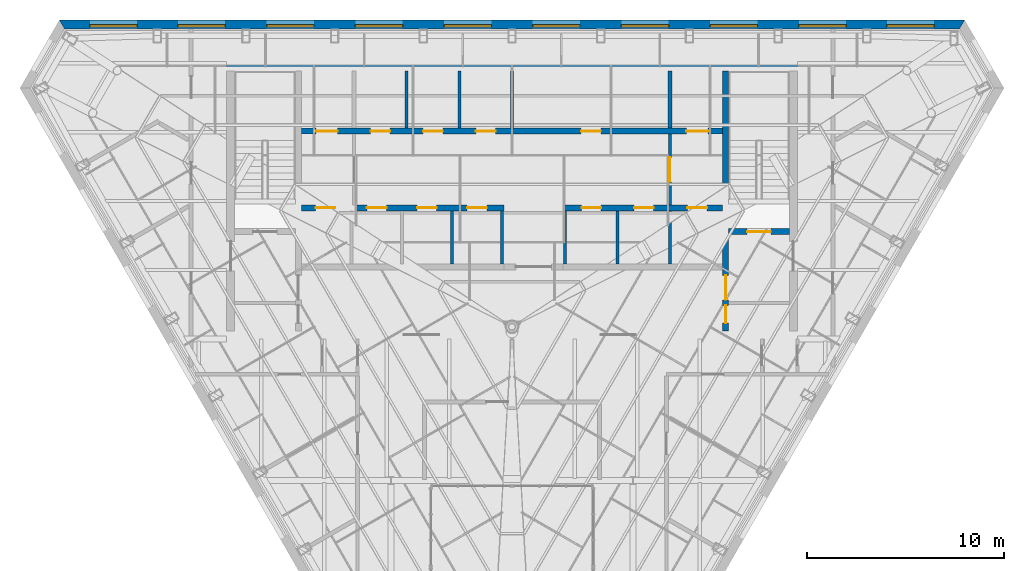
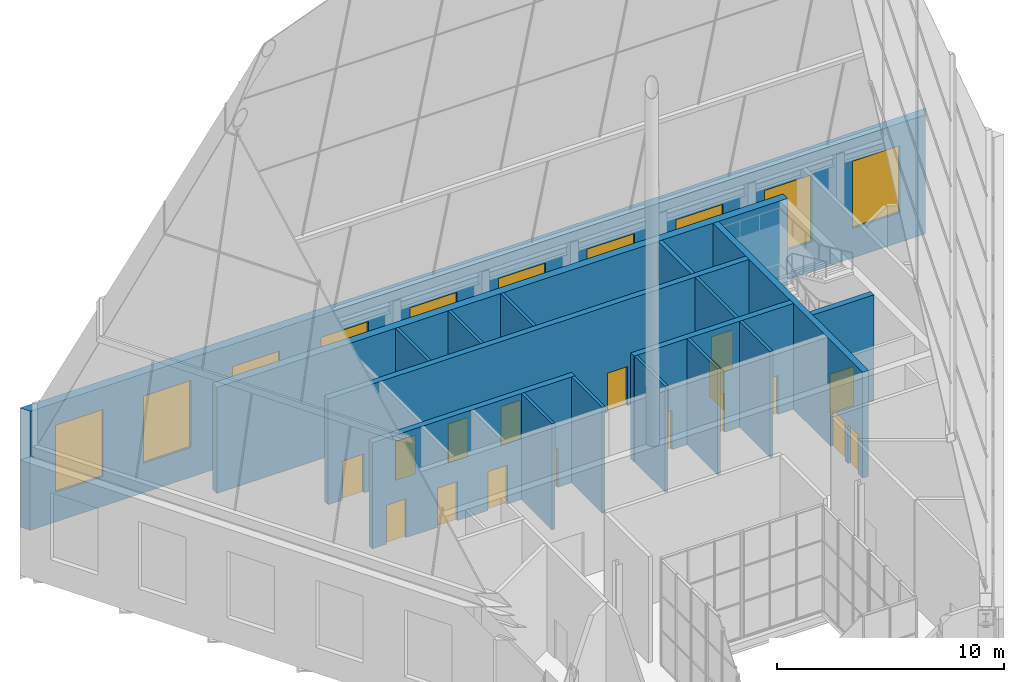
# One storey, part 32 of 36: 17 doors, 17 walls, 10 shading devices, 27 openings.
"""IFC4 building model written with IfcOpenShell, lengths in metres."""

import ifcopenshell
import ifcopenshell.guid

model = None  # the IFC model being written
_history = None  # IfcOwnerHistory: only IFC2X3 demands one
_inside = {}  # id of a spatial element -> (the spatial element, [elements in it])
_under = {}  # id of a project, library or spatial element -> (it, [spatial elements below it])
_declared = {}  # id of a project -> (the project, [libraries it declares])
_typed = {}  # id of a type object -> (the type object, [elements of that type])
_made_of = {}  # id of a material, layer set ... -> (it, [elements and type objects made of it])


def new_model(schema):
    """Start an empty IFC model of exactly this schema.

    Asked for "IFC4X3", IfcOpenShell would pick the latest addendum, in which some entities
    have other attributes; the version numbers below select the first issue.
    IFC2X3 requires an IfcOwnerHistory on every rooted entity: one is made here for all.
    """
    global model, _history
    if schema == "IFC4X3":
        model = ifcopenshell.file(schema_version=(4, 3, 0, 0))
    else:
        model = ifcopenshell.file(schema=schema)
    _inside.clear()
    _under.clear()
    _declared.clear()
    _typed.clear()
    _made_of.clear()
    _history = None
    if model.schema == "IFC2X3":
        org = make("IfcOrganization", Name="unknown")
        user = make(
            "IfcPersonAndOrganization",
            ThePerson=make("IfcPerson", FamilyName="unknown"),
            TheOrganization=org,
        )
        app = make(
            "IfcApplication",
            ApplicationDeveloper=org,
            Version="unknown",
            ApplicationFullName="unknown",
            ApplicationIdentifier="unknown",
        )
        _history = make(
            "IfcOwnerHistory",
            OwningUser=user,
            OwningApplication=app,
            ChangeAction="ADDED",
            CreationDate=0,
        )
    return model


def make(cls, **values):
    """One entity of the class cls with the attributes given. An attribute that is None is left unset."""
    return model.create_entity(
        cls, **{name: value for name, value in values.items() if value is not None}
    )


def rooted(cls, **values):
    """An entity with a GlobalId (a new one), such as an element, a storey or a relation."""
    return make(cls, GlobalId=ifcopenshell.guid.new(), OwnerHistory=_history, **values)


def si_unit(unit_type, name, prefix=None):
    """IfcSIUnit, for example si_unit("LENGTHUNIT", "METRE", prefix="MILLI")."""
    return make("IfcSIUnit", UnitType=unit_type, Prefix=prefix, Name=name)


def assignment(units):
    """IfcUnitAssignment: the units of a project."""
    return None if units is None else make("IfcUnitAssignment", Units=units)


def point(xyz):
    """IfcCartesianPoint."""
    return None if xyz is None else make("IfcCartesianPoint", Coordinates=xyz)


def direction(xyz):
    """IfcDirection."""
    return None if xyz is None else make("IfcDirection", DirectionRatios=xyz)


def frame(location, z_axis=None, x_axis=None):
    """IfcAxis2Placement3D, a coordinate frame: its origin and axes. An axis left out is left unset."""
    return make(
        "IfcAxis2Placement3D",
        Location=point(location),
        Axis=direction(z_axis),
        RefDirection=direction(x_axis),
    )


def frame_2d(location, x_axis=None):
    """IfcAxis2Placement2D, a coordinate frame in the plane: its origin and x axis."""
    return make(
        "IfcAxis2Placement2D", Location=point(location), RefDirection=direction(x_axis)
    )


def origin():
    """The frame at (0, 0, 0) with its axes left unset."""
    return frame((0.0, 0.0, 0.0))


def place(relative_to, where):
    """IfcLocalPlacement: puts the frame where relative to a parent placement (None: the world)."""
    return make(
        "IfcLocalPlacement", PlacementRelTo=relative_to, RelativePlacement=where
    )


def context(
    kind, dimensions, precision=None, world=None, true_north=None, identifier=None
):
    """IfcGeometricRepresentationContext, for example the 3D "Model" context."""
    return make(
        "IfcGeometricRepresentationContext",
        ContextIdentifier=identifier,
        ContextType=kind,
        CoordinateSpaceDimension=dimensions,
        Precision=precision,
        WorldCoordinateSystem=world,
        TrueNorth=true_north,
    )


def subcontext(parent, identifier, kind, view, scale=None):
    """IfcGeometricRepresentationSubContext, for example "Body" below "Model"."""
    return make(
        "IfcGeometricRepresentationSubContext",
        ContextIdentifier=identifier,
        ContextType=kind,
        ParentContext=parent,
        TargetScale=scale,
        TargetView=view,
    )


def project(units=None, contexts=None):
    """IfcProject with its units and contexts."""
    return rooted(
        "IfcProject",
        Name="project",
        RepresentationContexts=contexts,
        UnitsInContext=assignment(units),
    )


def spatial(cls, under=None, at=None, **own):
    """A site, building, storey or space (cls), placed at a placement, below another one or the project."""
    s = rooted(cls, ObjectPlacement=at, **own)
    if under is not None:
        _under.setdefault(under.id(), (under, []))[1].append(s)
    return s


def polyline(points):
    """IfcPolyline through the points."""
    return make("IfcPolyline", Points=[point(p) for p in points])


def profile(cls, at=None, kind="AREA", **sizes):
    """A parametric profile (cls). Its sizes go by their IFC names, for example OverallWidth=200.0."""
    return make(cls, ProfileType=kind, Position=at, **sizes)


def rectangle(**sizes):
    """IfcRectangleProfileDef."""
    return profile("IfcRectangleProfileDef", **sizes)


def outline(outer, holes=None, kind="AREA"):
    """IfcArbitraryClosedProfileDef: a profile drawn as a closed curve; with holes, ...WithVoids."""
    if holes is None:
        return make("IfcArbitraryClosedProfileDef", ProfileType=kind, OuterCurve=outer)
    return make(
        "IfcArbitraryProfileDefWithVoids",
        ProfileType=kind,
        OuterCurve=outer,
        InnerCurves=holes,
    )


def extrude(swept, where, along, depth):
    """IfcExtrudedAreaSolid: the profile swept, set in the frame where, extruded along a direction by depth."""
    return make(
        "IfcExtrudedAreaSolid",
        SweptArea=swept,
        Position=where,
        ExtrudedDirection=direction(along),
        Depth=depth,
    )


def shape(context_of_items, identifier, shape_type, items):
    """IfcShapeRepresentation: the items that make up one representation, for example the "Body"."""
    return make(
        "IfcShapeRepresentation",
        ContextOfItems=context_of_items,
        RepresentationIdentifier=identifier,
        RepresentationType=shape_type,
        Items=items,
    )


def material(Name=None, Category=None):
    """IfcMaterial."""
    return make("IfcMaterial", Name=Name, Category=Category)


def layer(
    of_material, thickness, ventilated=None, Name=None, Category=None, Priority=None
):
    """IfcMaterialLayer: one layer of a wall or slab, of a material (None: an air gap)."""
    return make(
        "IfcMaterialLayer",
        Material=of_material,
        LayerThickness=thickness,
        IsVentilated=ventilated,
        Name=Name,
        Category=Category,
        Priority=Priority,
    )


def layer_set(layers, Name=None):
    """IfcMaterialLayerSet."""
    return make("IfcMaterialLayerSet", MaterialLayers=layers, LayerSetName=Name)


def made_of(thing, what):
    """Note that an element or type object is made of a material, layer set ...; save() writes the relation."""
    if what is not None:
        _made_of.setdefault(what.id(), (what, []))[1].append(thing)
    return thing


def type_object(cls, material=None, **own):
    """A type object (cls), such as IfcWallType, which elements share."""
    return made_of(rooted(cls, **own), material)


def element(
    cls,
    number,
    at=None,
    inside=None,
    cuts=None,
    type_object=None,
    material=None,
    context=None,
    identifier="Body",
    shape_type=None,
    held_by="IfcProductDefinitionShape",
    body=None,
    shapes=None,
    **own,
):
    """One element of the class cls, such as IfcWall. Its Tag is "e" and its number.

    at: its placement. inside: the storey or other place that contains it. cuts: it is an
    opening in that element (IfcRelVoidsElement). A single representation is given by context,
    identifier, shape_type and body (its items); several are given by shapes. held_by: the class
    of the entity that holds the representations. save() writes the other relations.
    """
    e = rooted(cls, Tag="e%d" % number, ObjectPlacement=at, **own)
    if body is not None:
        shapes = [shape(context, identifier, shape_type, body)]
    if shapes is not None:
        e.Representation = make(held_by, Representations=shapes)
    if inside is not None:
        _inside.setdefault(inside.id(), (inside, []))[1].append(e)
    if cuts is not None:
        rooted(
            "IfcRelVoidsElement", RelatingBuildingElement=cuts, RelatedOpeningElement=e
        )
    if type_object is not None:
        _typed.setdefault(type_object.id(), (type_object, []))[1].append(e)
    return made_of(e, material)


def fill(opening, filler):
    """IfcRelFillsElement: the door or window that sits in an opening."""
    return rooted(
        "IfcRelFillsElement",
        RelatingOpeningElement=opening,
        RelatedBuildingElement=filler,
    )


def aggregate(whole, parts):
    """IfcRelAggregates: a whole, such as a stair, and the parts it consists of."""
    return rooted("IfcRelAggregates", RelatingObject=whole, RelatedObjects=parts)


def save(model, path):
    """Write the relations noted so far, then the file.

    IfcRelAggregates (storeys below a building ...), IfcRelContainedInSpatialStructure (elements
    in a storey), IfcRelDefinesByType, IfcRelAssociatesMaterial and IfcRelDeclares: one each for
    every whole, place, type object, material and project.
    """
    for whole, parts in _under.values():
        aggregate(whole, parts)
    for where, things in _inside.values():
        rooted(
            "IfcRelContainedInSpatialStructure",
            RelatedElements=things,
            RelatingStructure=where,
        )
    for kind, things in _typed.values():
        rooted("IfcRelDefinesByType", RelatedObjects=things, RelatingType=kind)
    for what, things in _made_of.values():
        rooted("IfcRelAssociatesMaterial", RelatedObjects=things, RelatingMaterial=what)
    for by, libraries in _declared.values():
        rooted("IfcRelDeclares", RelatingContext=by, RelatedDefinitions=libraries)
    model.write(path)


model = new_model("IFC4")

# Units and contexts
model_context = context("Model", 3, precision=1e-05, world=origin(), true_north=direction((0.0, 1.0)))
body_context = subcontext(model_context, "Body", "Model", "MODEL_VIEW")
ifc_project = project(units=[si_unit("LENGTHUNIT", "METRE"), si_unit("AREAUNIT", "SQUARE_METRE"), si_unit("VOLUMEUNIT", "CUBIC_METRE"), si_unit("PLANEANGLEUNIT", "RADIAN"), si_unit("MASSUNIT", "GRAM", prefix="KILO")], contexts=[model_context])

# Site, building, storey
site_placement = place(None, origin())
site = spatial("IfcSite", under=ifc_project, at=site_placement, CompositionType="ELEMENT")
building_placement = place(site_placement, origin())
building = spatial("IfcBuilding", under=site, at=building_placement, Name="Njiva Tower", CompositionType="ELEMENT")
storey_placement = place(building_placement, frame((0.0, 0.0, 337.8)))
storey = spatial("IfcBuildingStorey", under=building, at=storey_placement, Name="L77", CompositionType="ELEMENT", Elevation=337.8)

# Walls
ifc_material_1 = material(Name="Blockwork", Category="masonry")
ifc_layer_1 = layer(ifc_material_1, 0.15)
ifc_layer_set_1 = layer_set([ifc_layer_1], Name="Blockwork")
wall_type_1 = type_object("IfcWallType", Name="WT1 Compartment partition 150", PredefinedType="PARTITIONING", material=ifc_layer_set_1)
for number, where, z_axis, x_axis, name in (
    (1, (-5.35, 14.7, 0.0), (0.0, 0.0, 1.0), (0.0, 1.0, 0.0), "Partition CN2"),
    (2, (-2.675, 14.7, 0.0), (0.0, 0.0, 1.0), (0.0, 1.0, 0.0), "Partition CN3"),
    (3, (0.0, 14.7, 0.0), (0.0, 0.0, 1.0), (0.0, 1.0, 0.0), "Partition CN4"),
):
    element("IfcWall", number, at=place(storey_placement, frame(where, z_axis=z_axis, x_axis=x_axis)), inside=storey, type_object=wall_type_1, Name=name, PredefinedType="PARTITIONING", context=body_context, shape_type="SweptSolid", body=[
        extrude(rectangle(XDim=2.9, YDim=0.15, at=frame_2d((1.45, 0.0))), origin(), (0.0, 0.0, 1.0), 5.7),
    ])
for number, where, z_axis, x_axis, name in (
    (4, (-3.05, 7.8, 0.0), (0.0, 0.0, 1.0), (0.0, 1.0, 0.0), "Partition CS3"),
    (5, (-0.5, 7.8, 0.0), (0.0, 0.0, 1.0), (0.0, 1.0, 0.0), "Partition CS4"),
    (6, (2.7, 7.8, 0.0), (0.0, 0.0, 1.0), (0.0, 1.0, 0.0), "Partition CS5"),
    (7, (5.3667, 7.8, 0.0), (0.0, 0.0, 1.0), (0.0, 1.0, 0.0), "Partition CS6"),
    (8, (8.0333, 7.8, 0.0), (0.0, 0.0, 1.0), (0.0, 1.0, 0.0), "Partition CS7"),
):
    element("IfcWall", number, at=place(storey_placement, frame(where, z_axis=z_axis, x_axis=x_axis)), inside=storey, type_object=wall_type_1, Name=name, PredefinedType="PARTITIONING", context=body_context, shape_type="SweptSolid", body=[
        extrude(rectangle(XDim=2.7, YDim=0.15, at=frame_2d((1.35, 0.0))), origin(), (0.0, 0.0, 1.0), 5.7),
    ])

# Wall, openings, doors
ifc_material_2 = material(Name="Concrete C40/50", Category="concrete")
ifc_layer_2 = layer(ifc_material_2, 0.3)
ifc_layer_set_2 = layer_set([ifc_layer_2], Name="Concrete C40/50")
wall_type_2 = type_object("IfcWallType", Name="WT10 Stair enclosure wall 300", PredefinedType="SHEAR", material=ifc_layer_set_2)
wall_1_placement = place(storey_placement, frame((10.85, 4.4, 0.0), z_axis=(0.0, 0.0, 1.0), x_axis=(0.0, 1.0, 0.0)))
wall_1 = element("IfcWall", 9, at=wall_1_placement, inside=storey, type_object=wall_type_2, Name="Stair wall east inner", PredefinedType="SHEAR", context=body_context, shape_type="SweptSolid", body=[
    extrude(rectangle(XDim=13.2, YDim=0.3, at=frame_2d((6.6, 0.0))), origin(), (0.0, 0.0, 1.0), 5.7),
])
opening_1_placement = place(wall_1_placement, frame((1.575, 0.0, 0.0)))
opening_1 = element("IfcOpeningElement", 10, at=opening_1_placement, cuts=wall_1, Name="Opening CR-D921", PredefinedType="OPENING", context=body_context, shape_type="SweptSolid", body=[
    extrude(rectangle(XDim=1.25, YDim=2.1, at=frame_2d((0.625, 1.05))), frame((0.0, 0.16, 0.0), z_axis=(0.0, -1.0, 0.0), x_axis=(1.0, 0.0, 0.0)), (0.0, 0.0, 1.0), 0.32),
])
opening_2_placement = place(wall_1_placement, frame((0.4, 0.0, 0.0)))
opening_2 = element("IfcOpeningElement", 11, at=opening_2_placement, cuts=wall_1, Name="Opening CR-D923", PredefinedType="OPENING", context=body_context, shape_type="SweptSolid", body=[
    extrude(rectangle(XDim=0.9, YDim=2.1, at=frame_2d((0.45, 1.05))), frame((0.0, 0.16, 0.0), z_axis=(0.0, -1.0, 0.0), x_axis=(1.0, 0.0, 0.0)), (0.0, 0.0, 1.0), 0.32),
])
ifc_material_3 = material(Name="Steel door, painted", Category="steel")
door_type_1 = type_object("IfcDoorType", Name="D13 Steel door 900x2100", OperationType="SINGLE_SWING_LEFT", PredefinedType="DOOR", material=ifc_material_3)
door_1_placement = place(opening_2_placement, origin())
door_1 = element("IfcDoor", 12, at=door_1_placement, inside=storey, type_object=door_type_1, Name="Telecoms plant room door", OperationType="SINGLE_SWING_LEFT", OverallHeight=2.1, OverallWidth=0.9, PredefinedType="DOOR", context=body_context, shape_type="SweptSolid", body=[
    extrude(rectangle(XDim=0.9, YDim=2.1, at=frame_2d((0.45, 1.05))), frame((0.0, 0.025, 0.0), z_axis=(0.0, -1.0, 0.0), x_axis=(1.0, 0.0, 0.0)), (0.0, 0.0, 1.0), 0.05),
])
fill(opening_2, door_1)
ifc_material_4 = material(Name="Glazed steel fire door", Category="steel")
door_type_2 = type_object("IfcDoorType", Name="D8 Vestibule corridor door 1250x2100 glazed", OperationType="SINGLE_SWING_LEFT", PredefinedType="DOOR", material=ifc_material_4)
door_2_placement = place(opening_1_placement, origin())
door_2 = element("IfcDoor", 13, at=door_2_placement, inside=storey, type_object=door_type_2, Name="Stair vestibule corridor door", OperationType="SINGLE_SWING_RIGHT", OverallHeight=2.1, OverallWidth=1.25, PredefinedType="DOOR", context=body_context, shape_type="SweptSolid", body=[
    extrude(rectangle(XDim=1.25, YDim=2.1, at=frame_2d((0.625, 1.05))), frame((0.0, 0.025, 0.0), z_axis=(0.0, -1.0, 0.0), x_axis=(1.0, 0.0, 0.0)), (0.0, 0.0, 1.0), 0.05),
])
fill(opening_1, door_2)

# Wall, opening, door
wall_2_placement = place(storey_placement, frame((11.0, 9.45, 0.0), z_axis=(0.0, 0.0, 1.0), x_axis=(1.0, 0.0, 0.0)))
wall_2 = element("IfcWall", 14, at=wall_2_placement, inside=storey, type_object=wall_type_2, Name="Stair B south wall", PredefinedType="SHEAR", context=body_context, shape_type="SweptSolid", body=[
    extrude(rectangle(XDim=3.1, YDim=0.3, at=frame_2d((1.55, 0.0))), origin(), (0.0, 0.0, 1.0), 5.7),
])
opening_3_placement = place(wall_2_placement, frame((0.95, 0.0, 0.0)))
opening_3 = element("IfcOpeningElement", 15, at=opening_3_placement, cuts=wall_2, Name="Opening CR-D920", PredefinedType="OPENING", context=body_context, shape_type="SweptSolid", body=[
    extrude(rectangle(XDim=1.2, YDim=2.1, at=frame_2d((0.6, 1.05))), frame((0.0, 0.16, 0.0), z_axis=(0.0, -1.0, 0.0), x_axis=(1.0, 0.0, 0.0)), (0.0, 0.0, 1.0), 0.32),
])
door_type_3 = type_object("IfcDoorType", Name="D7 Stair vestibule door 1200x2100 glazed", OperationType="SINGLE_SWING_LEFT", PredefinedType="DOOR", material=ifc_material_4)
door_3_placement = place(opening_3_placement, origin())
door_3 = element("IfcDoor", 16, at=door_3_placement, inside=storey, type_object=door_type_3, Name="Stair B door", OperationType="SINGLE_SWING_LEFT", OverallHeight=2.1, OverallWidth=1.2, PredefinedType="DOOR", context=body_context, shape_type="SweptSolid", body=[
    extrude(rectangle(XDim=1.2, YDim=2.1, at=frame_2d((0.6, 1.05))), frame((0.0, 0.025, 0.0), z_axis=(0.0, -1.0, 0.0), x_axis=(1.0, 0.0, 0.0)), (0.0, 0.0, 1.0), 0.05),
])
fill(opening_3, door_3)

# Wall
ifc_material_5 = material(Name="Concrete C60/75", Category="concrete")
ifc_layer_3 = layer(ifc_material_5, 0.4)
ifc_layer_set_3 = layer_set([ifc_layer_3], Name="Concrete C60/75")
wall_type_3 = type_object("IfcWallType", Name="WT11 Core wall 400", PredefinedType="SHEAR", material=ifc_layer_set_3)
wall_3_placement = place(storey_placement, frame((-14.5, 17.8, 0.0), z_axis=(0.0, 0.0, 1.0), x_axis=(1.0, 0.0, 0.0)))
element("IfcWall", 17, at=wall_3_placement, inside=storey, type_object=wall_type_3, Name="Core wall north", PredefinedType="SHEAR", context=body_context, shape_type="SweptSolid", body=[
    extrude(rectangle(XDim=29.0, YDim=0.4, at=frame_2d((14.5, 0.0))), origin(), (0.0, 0.0, 1.0), 5.7),
])

# Wall, opening, door
ifc_layer_4 = layer(ifc_material_1, 0.15)
ifc_layer_set_4 = layer_set([ifc_layer_4], Name="Blockwork")
wall_type_4 = type_object("IfcWallType", Name="WT2 Lobby partition 150", PredefinedType="PARTITIONING", material=ifc_layer_set_4)
wall_4_placement = place(storey_placement, frame((8.025, 10.8, 0.0), z_axis=(0.0, 0.0, 1.0), x_axis=(0.0, 1.0, 0.0)))
wall_4 = element("IfcWall", 18, at=wall_4_placement, inside=storey, type_object=wall_type_4, Name="Firefighting lobby wall B", PredefinedType="PARTITIONING", context=body_context, shape_type="SweptSolid", body=[
    extrude(rectangle(XDim=3.6, YDim=0.15, at=frame_2d((1.8, 0.0))), origin(), (0.0, 0.0, 1.0), 5.7),
])
opening_4_placement = place(wall_4_placement, frame((1.175, 0.0, 0.0)))
opening_4 = element("IfcOpeningElement", 19, at=opening_4_placement, cuts=wall_4, Name="Opening CR-D919", PredefinedType="OPENING", context=body_context, shape_type="SweptSolid", body=[
    extrude(rectangle(XDim=1.25, YDim=2.1, at=frame_2d((0.625, 1.05))), frame((0.0, 0.085, 0.0), z_axis=(0.0, -1.0, 0.0), x_axis=(1.0, 0.0, 0.0)), (0.0, 0.0, 1.0), 0.17),
])
door_4_placement = place(opening_4_placement, origin())
door_4 = element("IfcDoor", 20, at=door_4_placement, inside=storey, type_object=door_type_2, Name="Stair vestibule corridor door", OperationType="SINGLE_SWING_LEFT", OverallHeight=2.1, OverallWidth=1.25, PredefinedType="DOOR", context=body_context, shape_type="SweptSolid", body=[
    extrude(rectangle(XDim=1.25, YDim=2.1, at=frame_2d((0.625, 1.05))), frame((0.0, 0.025, 0.0), z_axis=(0.0, -1.0, 0.0), x_axis=(1.0, 0.0, 0.0)), (0.0, 0.0, 1.0), 0.05),
])
fill(opening_4, door_4)

# Wall
ifc_layer_5 = layer(ifc_material_2, 0.2)
ifc_layer_set_5 = layer_set([ifc_layer_5], Name="Concrete C40/50")
wall_type_5 = type_object("IfcWallType", Name="WT6 Lift shaft wall 200", PredefinedType="SHEAR", material=ifc_layer_set_5)
wall_5_placement = place(storey_placement, frame((8.025, 14.7, 0.0), z_axis=(0.0, 0.0, 1.0), x_axis=(0.0, 1.0, 0.0)))
element("IfcWall", 21, at=wall_5_placement, inside=storey, type_object=wall_type_5, Name="Shaft wall CN7", PredefinedType="SHEAR", context=body_context, shape_type="SweptSolid", body=[
    extrude(rectangle(XDim=2.9, YDim=0.2, at=frame_2d((1.45, 0.0))), origin(), (0.0, 0.0, 1.0), 5.7),
])

# Wall, openings, doors
ifc_layer_6 = layer(ifc_material_2, 0.3)
ifc_layer_set_6 = layer_set([ifc_layer_6], Name="Concrete C40/50")
wall_type_6 = type_object("IfcWallType", Name="WT7 Lift shaft wall 300", PredefinedType="SHEAR", material=ifc_layer_set_6)
wall_6_placement = place(storey_placement, frame((-10.7, 14.55, 0.0), z_axis=(0.0, 0.0, 1.0), x_axis=(1.0, 0.0, 0.0)))
wall_6 = element("IfcWall", 22, at=wall_6_placement, inside=storey, type_object=wall_type_6, Name="Shaft wall north row lobby side", PredefinedType="SHEAR", context=body_context, shape_type="SweptSolid", body=[
    extrude(rectangle(XDim=21.4, YDim=0.3, at=frame_2d((10.7, 0.0))), origin(), (0.0, 0.0, 1.0), 5.7),
])
opening_5_placement = place(wall_6_placement, frame((0.7375, 0.0, 0.0)))
opening_5 = element("IfcOpeningElement", 23, at=opening_5_placement, cuts=wall_6, Name="Opening CR-D901", PredefinedType="OPENING", context=body_context, shape_type="SweptSolid", body=[
    extrude(rectangle(XDim=1.1, YDim=2.1, at=frame_2d((0.55, 1.05))), frame((0.0, 0.16, 0.0), z_axis=(0.0, -1.0, 0.0), x_axis=(1.0, 0.0, 0.0)), (0.0, 0.0, 1.0), 0.32),
])
opening_6_placement = place(wall_6_placement, frame((19.5625, 0.0, 0.0)))
opening_6 = element("IfcOpeningElement", 24, at=opening_6_placement, cuts=wall_6, Name="Opening CR-D902", PredefinedType="OPENING", context=body_context, shape_type="SweptSolid", body=[
    extrude(rectangle(XDim=1.1, YDim=2.1, at=frame_2d((0.55, 1.05))), frame((0.0, 0.16, 0.0), z_axis=(0.0, -1.0, 0.0), x_axis=(1.0, 0.0, 0.0)), (0.0, 0.0, 1.0), 0.32),
])
opening_7_placement = place(wall_6_placement, frame((3.5125, 0.0, 0.0)))
opening_7 = element("IfcOpeningElement", 25, at=opening_7_placement, cuts=wall_6, Name="Opening CR-D903", PredefinedType="OPENING", context=body_context, shape_type="SweptSolid", body=[
    extrude(rectangle(XDim=1.0, YDim=2.1, at=frame_2d((0.5, 1.05))), frame((0.0, 0.16, 0.0), z_axis=(0.0, -1.0, 0.0), x_axis=(1.0, 0.0, 0.0)), (0.0, 0.0, 1.0), 0.32),
])
opening_8_placement = place(wall_6_placement, frame((6.1875, 0.0, 0.0)))
opening_8 = element("IfcOpeningElement", 26, at=opening_8_placement, cuts=wall_6, Name="Opening CR-D904", PredefinedType="OPENING", context=body_context, shape_type="SweptSolid", body=[
    extrude(rectangle(XDim=1.0, YDim=2.1, at=frame_2d((0.5, 1.05))), frame((0.0, 0.16, 0.0), z_axis=(0.0, -1.0, 0.0), x_axis=(1.0, 0.0, 0.0)), (0.0, 0.0, 1.0), 0.32),
])
opening_9_placement = place(wall_6_placement, frame((8.8625, 0.0, 0.0)))
opening_9 = element("IfcOpeningElement", 27, at=opening_9_placement, cuts=wall_6, Name="Opening CR-D905", PredefinedType="OPENING", context=body_context, shape_type="SweptSolid", body=[
    extrude(rectangle(XDim=1.0, YDim=2.1, at=frame_2d((0.5, 1.05))), frame((0.0, 0.16, 0.0), z_axis=(0.0, -1.0, 0.0), x_axis=(1.0, 0.0, 0.0)), (0.0, 0.0, 1.0), 0.32),
])
opening_10_placement = place(wall_6_placement, frame((14.2125, 0.0, 0.0)))
opening_10 = element("IfcOpeningElement", 28, at=opening_10_placement, cuts=wall_6, Name="Opening CR-D906", PredefinedType="OPENING", context=body_context, shape_type="SweptSolid", body=[
    extrude(rectangle(XDim=1.0, YDim=2.1, at=frame_2d((0.5, 1.05))), frame((0.0, 0.16, 0.0), z_axis=(0.0, -1.0, 0.0), x_axis=(1.0, 0.0, 0.0)), (0.0, 0.0, 1.0), 0.32),
])
door_type_4 = type_object("IfcDoorType", Name="D5 Steel door 1000x2100", OperationType="SINGLE_SWING_LEFT", PredefinedType="DOOR", material=ifc_material_3)
door_5_placement = place(opening_7_placement, origin())
door_5 = element("IfcDoor", 29, at=door_5_placement, inside=storey, type_object=door_type_4, Name="Telecoms plant room door", OperationType="SINGLE_SWING_RIGHT", OverallHeight=2.1, OverallWidth=1.0, PredefinedType="DOOR", context=body_context, shape_type="SweptSolid", body=[
    extrude(rectangle(XDim=1.0, YDim=2.1, at=frame_2d((0.5, 1.05))), frame((0.0, 0.025, 0.0), z_axis=(0.0, -1.0, 0.0), x_axis=(1.0, 0.0, 0.0)), (0.0, 0.0, 1.0), 0.05),
])
fill(opening_7, door_5)
door_6_placement = place(opening_8_placement, origin())
door_6 = element("IfcDoor", 30, at=door_6_placement, inside=storey, type_object=door_type_4, Name="Mechanical plant room door", OperationType="SINGLE_SWING_RIGHT", OverallHeight=2.1, OverallWidth=1.0, PredefinedType="DOOR", context=body_context, shape_type="SweptSolid", body=[
    extrude(rectangle(XDim=1.0, YDim=2.1, at=frame_2d((0.5, 1.05))), frame((0.0, 0.025, 0.0), z_axis=(0.0, -1.0, 0.0), x_axis=(1.0, 0.0, 0.0)), (0.0, 0.0, 1.0), 0.05),
])
fill(opening_8, door_6)
door_7_placement = place(opening_9_placement, origin())
door_7 = element("IfcDoor", 31, at=door_7_placement, inside=storey, type_object=door_type_4, Name="Pump plant room door", OperationType="SINGLE_SWING_RIGHT", OverallHeight=2.1, OverallWidth=1.0, PredefinedType="DOOR", context=body_context, shape_type="SweptSolid", body=[
    extrude(rectangle(XDim=1.0, YDim=2.1, at=frame_2d((0.5, 1.05))), frame((0.0, 0.025, 0.0), z_axis=(0.0, -1.0, 0.0), x_axis=(1.0, 0.0, 0.0)), (0.0, 0.0, 1.0), 0.05),
])
fill(opening_9, door_7)
door_8_placement = place(opening_10_placement, origin())
door_8 = element("IfcDoor", 32, at=door_8_placement, inside=storey, type_object=door_type_4, Name="Ventilation plant room door", OperationType="SINGLE_SWING_LEFT", OverallHeight=2.1, OverallWidth=1.0, PredefinedType="DOOR", context=body_context, shape_type="SweptSolid", body=[
    extrude(rectangle(XDim=1.0, YDim=2.1, at=frame_2d((0.5, 1.05))), frame((0.0, 0.025, 0.0), z_axis=(0.0, -1.0, 0.0), x_axis=(1.0, 0.0, 0.0)), (0.0, 0.0, 1.0), 0.05),
])
fill(opening_10, door_8)
ifc_material_6 = material(Name="Stainless steel sliding door", Category="steel")
door_type_5 = type_object("IfcDoorType", Name="LD Lift landing door 1100x2100", OperationType="SLIDING_TO_LEFT", PredefinedType="DOOR", material=ifc_material_6)
door_9_placement = place(opening_5_placement, origin())
door_9 = element("IfcDoor", 33, at=door_9_placement, inside=storey, type_object=door_type_5, Name="Lift landing door FF1", OperationType="SLIDING_TO_LEFT", OverallHeight=2.1, OverallWidth=1.1, PredefinedType="DOOR", context=body_context, shape_type="SweptSolid", body=[
    extrude(rectangle(XDim=1.1, YDim=2.1, at=frame_2d((0.55, 1.05))), frame((0.0, 0.025, 0.0), z_axis=(0.0, -1.0, 0.0), x_axis=(1.0, 0.0, 0.0)), (0.0, 0.0, 1.0), 0.05),
])
fill(opening_5, door_9)
door_10_placement = place(opening_6_placement, origin())
door_10 = element("IfcDoor", 34, at=door_10_placement, inside=storey, type_object=door_type_5, Name="Lift landing door FF2", OperationType="SLIDING_TO_LEFT", OverallHeight=2.1, OverallWidth=1.1, PredefinedType="DOOR", context=body_context, shape_type="SweptSolid", body=[
    extrude(rectangle(XDim=1.1, YDim=2.1, at=frame_2d((0.55, 1.05))), frame((0.0, 0.025, 0.0), z_axis=(0.0, -1.0, 0.0), x_axis=(1.0, 0.0, 0.0)), (0.0, 0.0, 1.0), 0.05),
])
fill(opening_6, door_10)

wall_7_placement = place(storey_placement, frame((-10.7, 10.65, 0.0), z_axis=(0.0, 0.0, 1.0), x_axis=(1.0, 0.0, 0.0)))
wall_7 = element("IfcWall", 35, at=wall_7_placement, inside=storey, type_object=wall_type_6, Name="Shaft wall south row lobby side W", PredefinedType="SHEAR", context=body_context, shape_type="SweptSolid", body=[
    extrude(rectangle(XDim=10.3, YDim=0.3, at=frame_2d((5.15, 0.0))), origin(), (0.0, 0.0, 1.0), 5.7),
])
opening_11_placement = place(wall_7_placement, frame((0.725, 0.0, 0.0)))
opening_11 = element("IfcOpeningElement", 36, at=opening_11_placement, cuts=wall_7, Name="Opening CR-D907", PredefinedType="OPENING", context=body_context, shape_type="SweptSolid", body=[
    extrude(rectangle(XDim=1.0, YDim=2.1, at=frame_2d((0.5, 1.05))), frame((0.0, 0.16, 0.0), z_axis=(0.0, -1.0, 0.0), x_axis=(1.0, 0.0, 0.0)), (0.0, 0.0, 1.0), 0.32),
])
opening_12_placement = place(wall_7_placement, frame((3.325, 0.0, 0.0)))
opening_12 = element("IfcOpeningElement", 37, at=opening_12_placement, cuts=wall_7, Name="Opening CR-D908", PredefinedType="OPENING", context=body_context, shape_type="SweptSolid", body=[
    extrude(rectangle(XDim=1.0, YDim=2.1, at=frame_2d((0.5, 1.05))), frame((0.0, 0.16, 0.0), z_axis=(0.0, -1.0, 0.0), x_axis=(1.0, 0.0, 0.0)), (0.0, 0.0, 1.0), 0.32),
])
opening_13_placement = place(wall_7_placement, frame((5.875, 0.0, 0.0)))
opening_13 = element("IfcOpeningElement", 38, at=opening_13_placement, cuts=wall_7, Name="Opening CR-D909", PredefinedType="OPENING", context=body_context, shape_type="SweptSolid", body=[
    extrude(rectangle(XDim=1.0, YDim=2.1, at=frame_2d((0.5, 1.05))), frame((0.0, 0.16, 0.0), z_axis=(0.0, -1.0, 0.0), x_axis=(1.0, 0.0, 0.0)), (0.0, 0.0, 1.0), 0.32),
])
opening_14_placement = place(wall_7_placement, frame((8.425, 0.0, 0.0)))
opening_14 = element("IfcOpeningElement", 39, at=opening_14_placement, cuts=wall_7, Name="Opening CR-D910", PredefinedType="OPENING", context=body_context, shape_type="SweptSolid", body=[
    extrude(rectangle(XDim=1.0, YDim=2.1, at=frame_2d((0.5, 1.05))), frame((0.0, 0.16, 0.0), z_axis=(0.0, -1.0, 0.0), x_axis=(1.0, 0.0, 0.0)), (0.0, 0.0, 1.0), 0.32),
])
door_11_placement = place(opening_11_placement, origin())
door_11 = element("IfcDoor", 40, at=door_11_placement, inside=storey, type_object=door_type_4, Name="Plant store door", OperationType="SINGLE_SWING_LEFT", OverallHeight=2.1, OverallWidth=1.0, PredefinedType="DOOR", context=body_context, shape_type="SweptSolid", body=[
    extrude(rectangle(XDim=1.0, YDim=2.1, at=frame_2d((0.5, 1.05))), frame((0.0, 0.025, 0.0), z_axis=(0.0, -1.0, 0.0), x_axis=(1.0, 0.0, 0.0)), (0.0, 0.0, 1.0), 0.05),
])
fill(opening_11, door_11)
door_12_placement = place(opening_12_placement, origin())
door_12 = element("IfcDoor", 41, at=door_12_placement, inside=storey, type_object=door_type_4, Name="Plant store room door", OperationType="SINGLE_SWING_LEFT", OverallHeight=2.1, OverallWidth=1.0, PredefinedType="DOOR", context=body_context, shape_type="SweptSolid", body=[
    extrude(rectangle(XDim=1.0, YDim=2.1, at=frame_2d((0.5, 1.05))), frame((0.0, 0.025, 0.0), z_axis=(0.0, -1.0, 0.0), x_axis=(1.0, 0.0, 0.0)), (0.0, 0.0, 1.0), 0.05),
])
fill(opening_12, door_12)
door_13_placement = place(opening_13_placement, origin())
door_13 = element("IfcDoor", 42, at=door_13_placement, inside=storey, type_object=door_type_4, Name="Electrical plant room door", OperationType="SINGLE_SWING_RIGHT", OverallHeight=2.1, OverallWidth=1.0, PredefinedType="DOOR", context=body_context, shape_type="SweptSolid", body=[
    extrude(rectangle(XDim=1.0, YDim=2.1, at=frame_2d((0.5, 1.05))), frame((0.0, 0.025, 0.0), z_axis=(0.0, -1.0, 0.0), x_axis=(1.0, 0.0, 0.0)), (0.0, 0.0, 1.0), 0.05),
])
fill(opening_13, door_13)
door_14_placement = place(opening_14_placement, origin())
door_14 = element("IfcDoor", 43, at=door_14_placement, inside=storey, type_object=door_type_4, Name="Telecoms plant room door", OperationType="SINGLE_SWING_RIGHT", OverallHeight=2.1, OverallWidth=1.0, PredefinedType="DOOR", context=body_context, shape_type="SweptSolid", body=[
    extrude(rectangle(XDim=1.0, YDim=2.1, at=frame_2d((0.5, 1.05))), frame((0.0, 0.025, 0.0), z_axis=(0.0, -1.0, 0.0), x_axis=(1.0, 0.0, 0.0)), (0.0, 0.0, 1.0), 0.05),
])
fill(opening_14, door_14)

wall_8_placement = place(storey_placement, frame((2.6, 10.65, 0.0), z_axis=(0.0, 0.0, 1.0), x_axis=(1.0, 0.0, 0.0)))
wall_8 = element("IfcWall", 44, at=wall_8_placement, inside=storey, type_object=wall_type_6, Name="Shaft wall south row lobby side E", PredefinedType="SHEAR", context=body_context, shape_type="SweptSolid", body=[
    extrude(rectangle(XDim=8.1, YDim=0.3, at=frame_2d((4.05, 0.0))), origin(), (0.0, 0.0, 1.0), 5.7),
])
opening_15_placement = place(wall_8_placement, frame((0.9334, 0.0, 0.0)))
opening_15 = element("IfcOpeningElement", 45, at=opening_15_placement, cuts=wall_8, Name="Opening CR-D911", PredefinedType="OPENING", context=body_context, shape_type="SweptSolid", body=[
    extrude(rectangle(XDim=1.0, YDim=2.1, at=frame_2d((0.5, 1.05))), frame((0.0, 0.16, 0.0), z_axis=(0.0, -1.0, 0.0), x_axis=(1.0, 0.0, 0.0)), (0.0, 0.0, 1.0), 0.32),
])
opening_16_placement = place(wall_8_placement, frame((3.6, 0.0, 0.0)))
opening_16 = element("IfcOpeningElement", 46, at=opening_16_placement, cuts=wall_8, Name="Opening CR-D912", PredefinedType="OPENING", context=body_context, shape_type="SweptSolid", body=[
    extrude(rectangle(XDim=1.0, YDim=2.1, at=frame_2d((0.5, 1.05))), frame((0.0, 0.16, 0.0), z_axis=(0.0, -1.0, 0.0), x_axis=(1.0, 0.0, 0.0)), (0.0, 0.0, 1.0), 0.32),
])
opening_17_placement = place(wall_8_placement, frame((6.3167, 0.0, 0.0)))
opening_17 = element("IfcOpeningElement", 47, at=opening_17_placement, cuts=wall_8, Name="Opening CR-D913", PredefinedType="OPENING", context=body_context, shape_type="SweptSolid", body=[
    extrude(rectangle(XDim=1.0, YDim=2.1, at=frame_2d((0.5, 1.05))), frame((0.0, 0.16, 0.0), z_axis=(0.0, -1.0, 0.0), x_axis=(1.0, 0.0, 0.0)), (0.0, 0.0, 1.0), 0.32),
])
door_15_placement = place(opening_15_placement, origin())
door_15 = element("IfcDoor", 48, at=door_15_placement, inside=storey, type_object=door_type_4, Name="Mechanical plant room door", OperationType="SINGLE_SWING_LEFT", OverallHeight=2.1, OverallWidth=1.0, PredefinedType="DOOR", context=body_context, shape_type="SweptSolid", body=[
    extrude(rectangle(XDim=1.0, YDim=2.1, at=frame_2d((0.5, 1.05))), frame((0.0, 0.025, 0.0), z_axis=(0.0, -1.0, 0.0), x_axis=(1.0, 0.0, 0.0)), (0.0, 0.0, 1.0), 0.05),
])
fill(opening_15, door_15)
door_16_placement = place(opening_16_placement, origin())
door_16 = element("IfcDoor", 49, at=door_16_placement, inside=storey, type_object=door_type_4, Name="Pump plant room door", OperationType="SINGLE_SWING_RIGHT", OverallHeight=2.1, OverallWidth=1.0, PredefinedType="DOOR", context=body_context, shape_type="SweptSolid", body=[
    extrude(rectangle(XDim=1.0, YDim=2.1, at=frame_2d((0.5, 1.05))), frame((0.0, 0.025, 0.0), z_axis=(0.0, -1.0, 0.0), x_axis=(1.0, 0.0, 0.0)), (0.0, 0.0, 1.0), 0.05),
])
fill(opening_16, door_16)
door_17_placement = place(opening_17_placement, origin())
door_17 = element("IfcDoor", 50, at=door_17_placement, inside=storey, type_object=door_type_4, Name="Ventilation plant room door", OperationType="SINGLE_SWING_RIGHT", OverallHeight=2.1, OverallWidth=1.0, PredefinedType="DOOR", context=body_context, shape_type="SweptSolid", body=[
    extrude(rectangle(XDim=1.0, YDim=2.1, at=frame_2d((0.5, 1.05))), frame((0.0, 0.025, 0.0), z_axis=(0.0, -1.0, 0.0), x_axis=(1.0, 0.0, 0.0)), (0.0, 0.0, 1.0), 0.05),
])
fill(opening_17, door_17)

# Wall, openings, shading devices
ifc_material_7 = material(Name="Brick masonry", Category="masonry")
ifc_layer_7 = layer(ifc_material_7, 0.45)
ifc_layer_set_7 = layer_set([ifc_layer_7], Name="Brick masonry")
wall_type_7 = type_object("IfcWallType", Name="WT90 Brick pier and spandrel wall 450", PredefinedType="SOLIDWALL", material=ifc_layer_set_7)
wall_9_placement = place(storey_placement, frame((22.8701, 19.975, -0.4), z_axis=(0.0, 0.0, 1.0), x_axis=(-1.0, 0.0, 0.0)))
wall_9 = element("IfcWall", 51, at=wall_9_placement, inside=storey, type_object=wall_type_7, Name="Facade wall N", PredefinedType="SOLIDWALL", context=body_context, shape_type="SweptSolid", body=[
    extrude(outline(polyline([(-0.1299, -0.225), (45.8701, -0.225), (45.6103, 0.225), (0.1299, 0.225), (-0.1299, -0.225)])), origin(), (0.0, 0.0, 1.0), 6.4),
])
opening_18_placement = place(wall_9_placement, frame((1.4242, 0.0, 1.6)))
opening_18 = element("IfcOpeningElement", 52, at=opening_18_placement, cuts=wall_9, Name="Opening CR-LV01", PredefinedType="OPENING", context=body_context, shape_type="SweptSolid", body=[
    extrude(rectangle(XDim=2.4, YDim=3.6, at=frame_2d((1.2, 1.8))), frame((0.0, 0.235, 0.0), z_axis=(0.0, -1.0, 0.0), x_axis=(1.0, 0.0, 0.0)), (0.0, 0.0, 1.0), 0.47),
])
opening_19_placement = place(wall_9_placement, frame((5.8934, 0.0, 1.6)))
opening_19 = element("IfcOpeningElement", 53, at=opening_19_placement, cuts=wall_9, Name="Opening CR-LV02", PredefinedType="OPENING", context=body_context, shape_type="SweptSolid", body=[
    extrude(rectangle(XDim=2.4, YDim=3.6, at=frame_2d((1.2, 1.8))), frame((0.0, 0.235, 0.0), z_axis=(0.0, -1.0, 0.0), x_axis=(1.0, 0.0, 0.0)), (0.0, 0.0, 1.0), 0.47),
])
opening_20_placement = place(wall_9_placement, frame((10.401, 0.0, 1.6)))
opening_20 = element("IfcOpeningElement", 54, at=opening_20_placement, cuts=wall_9, Name="Opening CR-LV03", PredefinedType="OPENING", context=body_context, shape_type="SweptSolid", body=[
    extrude(rectangle(XDim=2.4, YDim=3.6, at=frame_2d((1.2, 1.8))), frame((0.0, 0.235, 0.0), z_axis=(0.0, -1.0, 0.0), x_axis=(1.0, 0.0, 0.0)), (0.0, 0.0, 1.0), 0.47),
])
opening_21_placement = place(wall_9_placement, frame((14.9087, 0.0, 1.6)))
opening_21 = element("IfcOpeningElement", 55, at=opening_21_placement, cuts=wall_9, Name="Opening CR-LV04", PredefinedType="OPENING", context=body_context, shape_type="SweptSolid", body=[
    extrude(rectangle(XDim=2.4, YDim=3.6, at=frame_2d((1.2, 1.8))), frame((0.0, 0.235, 0.0), z_axis=(0.0, -1.0, 0.0), x_axis=(1.0, 0.0, 0.0)), (0.0, 0.0, 1.0), 0.47),
])
opening_22_placement = place(wall_9_placement, frame((19.4163, 0.0, 1.6)))
opening_22 = element("IfcOpeningElement", 56, at=opening_22_placement, cuts=wall_9, Name="Opening CR-LV05", PredefinedType="OPENING", context=body_context, shape_type="SweptSolid", body=[
    extrude(rectangle(XDim=2.4, YDim=3.6, at=frame_2d((1.2, 1.8))), frame((0.0, 0.235, 0.0), z_axis=(0.0, -1.0, 0.0), x_axis=(1.0, 0.0, 0.0)), (0.0, 0.0, 1.0), 0.47),
])
opening_23_placement = place(wall_9_placement, frame((23.9239, 0.0, 1.6)))
opening_23 = element("IfcOpeningElement", 57, at=opening_23_placement, cuts=wall_9, Name="Opening CR-LV06", PredefinedType="OPENING", context=body_context, shape_type="SweptSolid", body=[
    extrude(rectangle(XDim=2.4, YDim=3.6, at=frame_2d((1.2, 1.8))), frame((0.0, 0.235, 0.0), z_axis=(0.0, -1.0, 0.0), x_axis=(1.0, 0.0, 0.0)), (0.0, 0.0, 1.0), 0.47),
])
opening_24_placement = place(wall_9_placement, frame((28.4315, 0.0, 1.6)))
opening_24 = element("IfcOpeningElement", 58, at=opening_24_placement, cuts=wall_9, Name="Opening CR-LV07", PredefinedType="OPENING", context=body_context, shape_type="SweptSolid", body=[
    extrude(rectangle(XDim=2.4, YDim=3.6, at=frame_2d((1.2, 1.8))), frame((0.0, 0.235, 0.0), z_axis=(0.0, -1.0, 0.0), x_axis=(1.0, 0.0, 0.0)), (0.0, 0.0, 1.0), 0.47),
])
opening_25_placement = place(wall_9_placement, frame((32.9391, 0.0, 1.6)))
opening_25 = element("IfcOpeningElement", 59, at=opening_25_placement, cuts=wall_9, Name="Opening CR-LV08", PredefinedType="OPENING", context=body_context, shape_type="SweptSolid", body=[
    extrude(rectangle(XDim=2.4, YDim=3.6, at=frame_2d((1.2, 1.8))), frame((0.0, 0.235, 0.0), z_axis=(0.0, -1.0, 0.0), x_axis=(1.0, 0.0, 0.0)), (0.0, 0.0, 1.0), 0.47),
])
opening_26_placement = place(wall_9_placement, frame((37.4468, 0.0, 1.6)))
opening_26 = element("IfcOpeningElement", 60, at=opening_26_placement, cuts=wall_9, Name="Opening CR-LV09", PredefinedType="OPENING", context=body_context, shape_type="SweptSolid", body=[
    extrude(rectangle(XDim=2.4, YDim=3.6, at=frame_2d((1.2, 1.8))), frame((0.0, 0.235, 0.0), z_axis=(0.0, -1.0, 0.0), x_axis=(1.0, 0.0, 0.0)), (0.0, 0.0, 1.0), 0.47),
])
opening_27_placement = place(wall_9_placement, frame((41.916, 0.0, 1.6)))
opening_27 = element("IfcOpeningElement", 61, at=opening_27_placement, cuts=wall_9, Name="Opening CR-LV10", PredefinedType="OPENING", context=body_context, shape_type="SweptSolid", body=[
    extrude(rectangle(XDim=2.4, YDim=3.6, at=frame_2d((1.2, 1.8))), frame((0.0, 0.235, 0.0), z_axis=(0.0, -1.0, 0.0), x_axis=(1.0, 0.0, 0.0)), (0.0, 0.0, 1.0), 0.47),
])
ifc_material_8 = material(Name="Aluminium louvre blades", Category="aluminium")
shading_device_type = type_object("IfcShadingDeviceType", Name="LV1 Plant louvre 2400x3600", PredefinedType="JALOUSIE", material=ifc_material_8)
shading_device_1_placement = place(opening_18_placement, origin())
shading_device_1 = element("IfcShadingDevice", 62, at=shading_device_1_placement, inside=storey, type_object=shading_device_type, Name="Plant louvre", PredefinedType="JALOUSIE", context=body_context, shape_type="SweptSolid", body=[
    extrude(rectangle(XDim=2.4, YDim=3.6, at=frame_2d((1.2, 1.8))), frame((0.0, 0.125, 0.0), z_axis=(0.0, -1.0, 0.0), x_axis=(1.0, 0.0, 0.0)), (0.0, 0.0, 1.0), 0.1),
])
fill(opening_18, shading_device_1)
shading_device_2_placement = place(opening_19_placement, origin())
shading_device_2 = element("IfcShadingDevice", 63, at=shading_device_2_placement, inside=storey, type_object=shading_device_type, Name="Plant louvre", PredefinedType="JALOUSIE", context=body_context, shape_type="SweptSolid", body=[
    extrude(rectangle(XDim=2.4, YDim=3.6, at=frame_2d((1.2, 1.8))), frame((0.0, 0.125, 0.0), z_axis=(0.0, -1.0, 0.0), x_axis=(1.0, 0.0, 0.0)), (0.0, 0.0, 1.0), 0.1),
])
fill(opening_19, shading_device_2)
shading_device_3_placement = place(opening_20_placement, origin())
shading_device_3 = element("IfcShadingDevice", 64, at=shading_device_3_placement, inside=storey, type_object=shading_device_type, Name="Plant louvre", PredefinedType="JALOUSIE", context=body_context, shape_type="SweptSolid", body=[
    extrude(rectangle(XDim=2.4, YDim=3.6, at=frame_2d((1.2, 1.8))), frame((0.0, 0.125, 0.0), z_axis=(0.0, -1.0, 0.0), x_axis=(1.0, 0.0, 0.0)), (0.0, 0.0, 1.0), 0.1),
])
fill(opening_20, shading_device_3)
shading_device_4_placement = place(opening_21_placement, origin())
shading_device_4 = element("IfcShadingDevice", 65, at=shading_device_4_placement, inside=storey, type_object=shading_device_type, Name="Plant louvre", PredefinedType="JALOUSIE", context=body_context, shape_type="SweptSolid", body=[
    extrude(rectangle(XDim=2.4, YDim=3.6, at=frame_2d((1.2, 1.8))), frame((0.0, 0.125, 0.0), z_axis=(0.0, -1.0, 0.0), x_axis=(1.0, 0.0, 0.0)), (0.0, 0.0, 1.0), 0.1),
])
fill(opening_21, shading_device_4)
shading_device_5_placement = place(opening_22_placement, origin())
shading_device_5 = element("IfcShadingDevice", 66, at=shading_device_5_placement, inside=storey, type_object=shading_device_type, Name="Plant louvre", PredefinedType="JALOUSIE", context=body_context, shape_type="SweptSolid", body=[
    extrude(rectangle(XDim=2.4, YDim=3.6, at=frame_2d((1.2, 1.8))), frame((0.0, 0.125, 0.0), z_axis=(0.0, -1.0, 0.0), x_axis=(1.0, 0.0, 0.0)), (0.0, 0.0, 1.0), 0.1),
])
fill(opening_22, shading_device_5)
shading_device_6_placement = place(opening_23_placement, origin())
shading_device_6 = element("IfcShadingDevice", 67, at=shading_device_6_placement, inside=storey, type_object=shading_device_type, Name="Plant louvre", PredefinedType="JALOUSIE", context=body_context, shape_type="SweptSolid", body=[
    extrude(rectangle(XDim=2.4, YDim=3.6, at=frame_2d((1.2, 1.8))), frame((0.0, 0.125, 0.0), z_axis=(0.0, -1.0, 0.0), x_axis=(1.0, 0.0, 0.0)), (0.0, 0.0, 1.0), 0.1),
])
fill(opening_23, shading_device_6)
shading_device_7_placement = place(opening_24_placement, origin())
shading_device_7 = element("IfcShadingDevice", 68, at=shading_device_7_placement, inside=storey, type_object=shading_device_type, Name="Plant louvre", PredefinedType="JALOUSIE", context=body_context, shape_type="SweptSolid", body=[
    extrude(rectangle(XDim=2.4, YDim=3.6, at=frame_2d((1.2, 1.8))), frame((0.0, 0.125, 0.0), z_axis=(0.0, -1.0, 0.0), x_axis=(1.0, 0.0, 0.0)), (0.0, 0.0, 1.0), 0.1),
])
fill(opening_24, shading_device_7)
shading_device_8_placement = place(opening_25_placement, origin())
shading_device_8 = element("IfcShadingDevice", 69, at=shading_device_8_placement, inside=storey, type_object=shading_device_type, Name="Plant louvre", PredefinedType="JALOUSIE", context=body_context, shape_type="SweptSolid", body=[
    extrude(rectangle(XDim=2.4, YDim=3.6, at=frame_2d((1.2, 1.8))), frame((0.0, 0.125, 0.0), z_axis=(0.0, -1.0, 0.0), x_axis=(1.0, 0.0, 0.0)), (0.0, 0.0, 1.0), 0.1),
])
fill(opening_25, shading_device_8)
shading_device_9_placement = place(opening_26_placement, origin())
shading_device_9 = element("IfcShadingDevice", 70, at=shading_device_9_placement, inside=storey, type_object=shading_device_type, Name="Plant louvre", PredefinedType="JALOUSIE", context=body_context, shape_type="SweptSolid", body=[
    extrude(rectangle(XDim=2.4, YDim=3.6, at=frame_2d((1.2, 1.8))), frame((0.0, 0.125, 0.0), z_axis=(0.0, -1.0, 0.0), x_axis=(1.0, 0.0, 0.0)), (0.0, 0.0, 1.0), 0.1),
])
fill(opening_26, shading_device_9)
shading_device_10_placement = place(opening_27_placement, origin())
shading_device_10 = element("IfcShadingDevice", 71, at=shading_device_10_placement, inside=storey, type_object=shading_device_type, Name="Plant louvre", PredefinedType="JALOUSIE", context=body_context, shape_type="SweptSolid", body=[
    extrude(rectangle(XDim=2.4, YDim=3.6, at=frame_2d((1.2, 1.8))), frame((0.0, 0.125, 0.0), z_axis=(0.0, -1.0, 0.0), x_axis=(1.0, 0.0, 0.0)), (0.0, 0.0, 1.0), 0.1),
])
fill(opening_27, shading_device_10)

save(model, "model.ifc")
